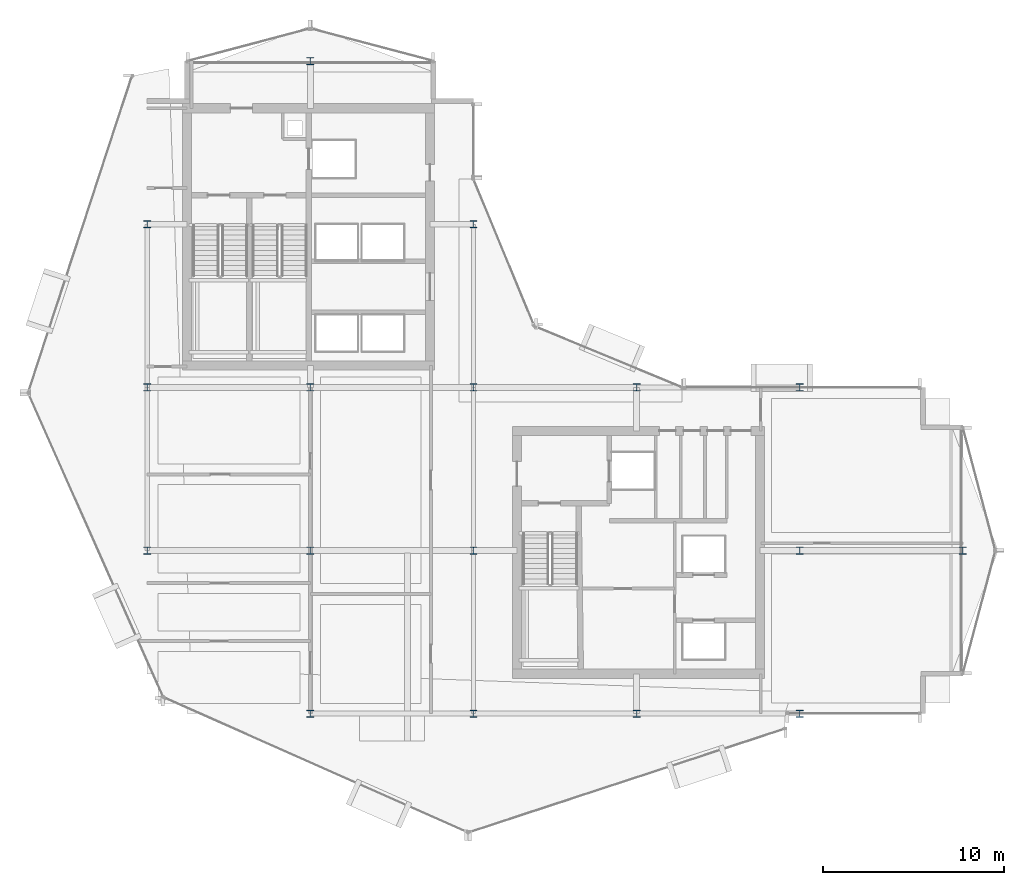
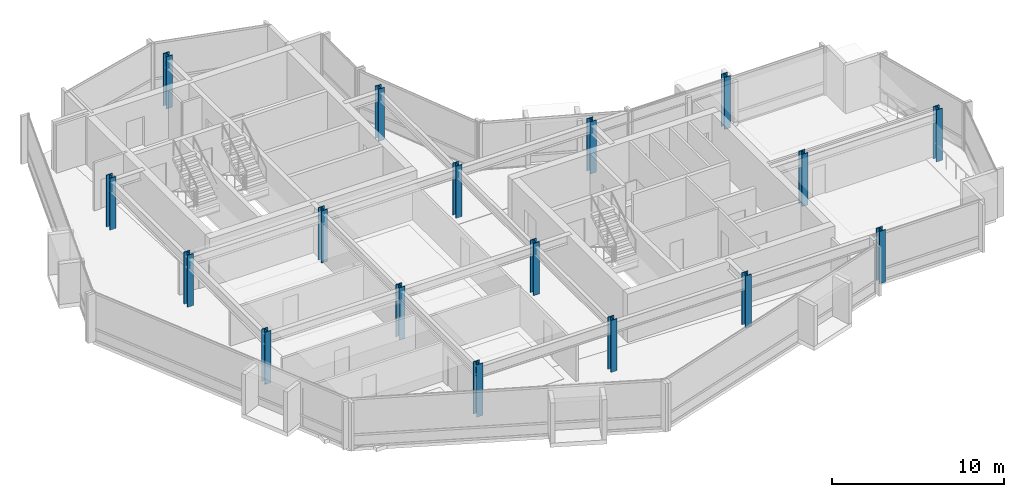
# One storey, part 1 of 27: 17 columns.
"""IFC4 building model written with IfcOpenShell, lengths in metres."""

from ifc_helpers import new_model, si_unit, direction, frame, origin, origin_2d, place, context, subcontext, project, spatial, i_section, extrude, material, material_profile, profile_set, type_object, element, save


model = new_model("IFC4")

# Units and contexts
model_context = context("Model", 3, precision=1e-05, world=origin(), true_north=direction((0.0, 1.0)))
body_context = subcontext(model_context, "Body", "Model", "MODEL_VIEW")
ifc_project = project(units=[si_unit("LENGTHUNIT", "METRE"), si_unit("AREAUNIT", "SQUARE_METRE"), si_unit("VOLUMEUNIT", "CUBIC_METRE"), si_unit("PLANEANGLEUNIT", "RADIAN"), si_unit("MASSUNIT", "GRAM", prefix="KILO")], contexts=[model_context])

# Site, building, storey
site_placement = place(None, origin())
site = spatial("IfcSite", under=ifc_project, at=site_placement, CompositionType="ELEMENT")
building_placement = place(site_placement, origin())
building = spatial("IfcBuilding", under=site, at=building_placement, Name="Solvaryn Broadcast Tower", CompositionType="ELEMENT")
storey_placement = place(building_placement, frame((0.0, 0.0, 181.60009765625)))
storey = spatial("IfcBuildingStorey", under=building, at=storey_placement, Name="L45", CompositionType="ELEMENT", Elevation=181.60009765625)

# Columns
ifc_material_1 = material(Name="Steel ASTM A913 Grade 65", Category="steel")
ifc_material_profile_1 = material_profile(ifc_material_1, i_section(OverallWidth=0.406005859375, OverallDepth=0.416015625, WebThickness=0.02978515625, FlangeThickness=0.048095703125, FilletRadius=0.014892578125, at=origin_2d()))
ifc_profile_set_1 = profile_set([ifc_material_profile_1], Name="Steel ASTM A913 Grade 65")
column_type_1 = type_object("IfcColumnType", Name="COL-C07E-W14X257", PredefinedType="COLUMN", material=ifc_profile_set_1)
for number, where, z_axis, x_axis, name in (
    (1, (9.0, 18.0, 0.0), (0.0, 0.0, 1.0), (1.0, 0.0, 0.0), "L45 Column (9.0, 18.0)"),
    (2, (9.0, 27.0, 0.0), (0.0, 0.0, 1.0), (1.0, 0.0, 0.0), "L45 Column (9.0, 27.0)"),
    (3, (9.0, 36.0, 0.0), (0.0, 0.0, 1.0), (1.0, 0.0, 0.0), "L45 Column (9.0, 36.0)"),
    (4, (18.0, 9.0, 0.0), (0.0, 0.0, 1.0), (1.0, 0.0, 0.0), "L45 Column (18.0, 9.0)"),
    (5, (18.0, 45.0, 0.0), (0.0, 0.0, 1.0), (1.0, 0.0, 0.0), "L45 Column (18.0, 45.0)"),
    (6, (27.0, 9.0, 0.0), (0.0, 0.0, 1.0), (1.0, 0.0, 0.0), "L45 Column (27.0, 9.0)"),
    (7, (27.0, 36.0, 0.0), (0.0, 0.0, 1.0), (1.0, 0.0, 0.0), "L45 Column (27.0, 36.0)"),
    (8, (36.0, 9.0, 0.0), (0.0, 0.0, 1.0), (1.0, 0.0, 0.0), "L45 Column (36.0, 9.0)"),
    (9, (36.0, 27.0, 0.0), (0.0, 0.0, 1.0), (1.0, 0.0, 0.0), "L45 Column (36.0, 27.0)"),
    (10, (45.0, 9.0, 0.0), (0.0, 0.0, 1.0), (1.0, 0.0, 0.0), "L45 Column (45.0, 9.0)"),
    (11, (45.0, 27.0, 0.0), (0.0, 0.0, 1.0), (1.0, 0.0, 0.0), "L45 Column (45.0, 27.0)"),
    (12, (54.0, 18.0, 0.0), (0.0, 0.0, 1.0), (1.0, 0.0, 0.0), "L45 Column (54.0, 18.0)"),
):
    element("IfcColumn", number, at=place(storey_placement, frame(where, z_axis=z_axis, x_axis=x_axis)), inside=storey, type_object=column_type_1, Name=name, PredefinedType="COLUMN", context=body_context, shape_type="SweptSolid", body=[
        extrude(i_section(OverallWidth=0.406005859375, OverallDepth=0.416015625, WebThickness=0.02978515625, FlangeThickness=0.048095703125, FilletRadius=0.014892578125, at=origin_2d()), origin(), (0.0, 0.0, 1.0), 3.699951171875),
    ])
ifc_material_2 = material(Name="Steel ASTM A913 Grade 65", Category="steel")
ifc_material_profile_2 = material_profile(ifc_material_2, i_section(OverallWidth=0.406005859375, OverallDepth=0.416015625, WebThickness=0.02978515625, FlangeThickness=0.048095703125, FilletRadius=0.014892578125, at=origin_2d()))
ifc_profile_set_2 = profile_set([ifc_material_profile_2], Name="Steel ASTM A913 Grade 65")
column_type_2 = type_object("IfcColumnType", Name="COL-C07I-W14X257", PredefinedType="COLUMN", material=ifc_profile_set_2)
for number, where, z_axis, x_axis, name in (
    (13, (18.0, 18.0, 0.0), (0.0, 0.0, 1.0), (1.0, 0.0, 0.0), "L45 Column (18.0, 18.0)"),
    (14, (18.0, 27.0, 0.0), (0.0, 0.0, 1.0), (1.0, 0.0, 0.0), "L45 Column (18.0, 27.0)"),
    (15, (27.0, 18.0, 0.0), (0.0, 0.0, 1.0), (1.0, 0.0, 0.0), "L45 Column (27.0, 18.0)"),
    (16, (27.0, 27.0, 0.0), (0.0, 0.0, 1.0), (1.0, 0.0, 0.0), "L45 Column (27.0, 27.0)"),
    (17, (45.0, 18.0, 0.0), (0.0, 0.0, 1.0), (1.0, 0.0, 0.0), "L45 Column (45.0, 18.0)"),
):
    element("IfcColumn", number, at=place(storey_placement, frame(where, z_axis=z_axis, x_axis=x_axis)), inside=storey, type_object=column_type_2, Name=name, PredefinedType="COLUMN", context=body_context, shape_type="SweptSolid", body=[
        extrude(i_section(OverallWidth=0.406005859375, OverallDepth=0.416015625, WebThickness=0.02978515625, FlangeThickness=0.048095703125, FilletRadius=0.014892578125, at=origin_2d()), origin(), (0.0, 0.0, 1.0), 3.699951171875),
    ])

save(model, "model.ifc")
